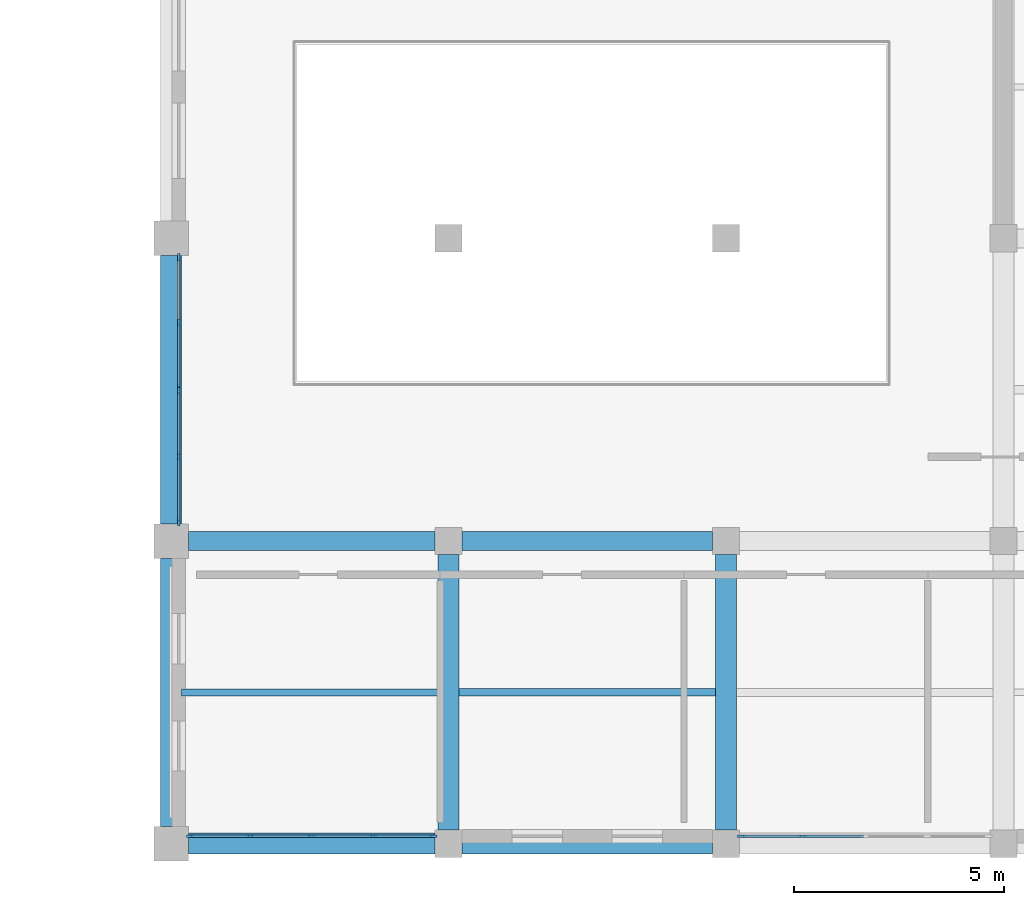
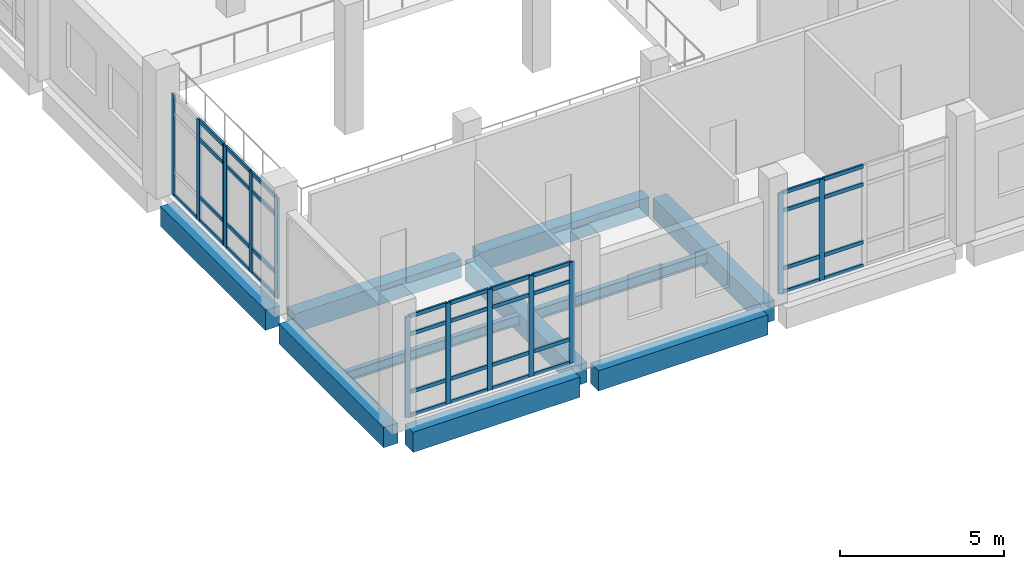
# One storey, part 13 of 90: 50 members, 10 beams, 4 elements without a shape of their own.
"""IFC4 building model written with IfcOpenShell, lengths in metres."""

from ifc_helpers import new_model, si_unit, direction, frame, origin, origin_2d, place, context, subcontext, project, spatial, rectangle, i_section, extrude, material, layer, layer_set, material_profile, profile_set, type_object, element, aggregate, save


model = new_model("IFC4")

# Units and contexts
model_context = context("Model", 3, precision=1e-05, world=origin(), true_north=direction((0.0, 1.0)))
body_context = subcontext(model_context, "Body", "Model", "MODEL_VIEW")
ifc_project = project(units=[si_unit("LENGTHUNIT", "METRE"), si_unit("AREAUNIT", "SQUARE_METRE"), si_unit("VOLUMEUNIT", "CUBIC_METRE"), si_unit("PLANEANGLEUNIT", "RADIAN"), si_unit("MASSUNIT", "GRAM", prefix="KILO")], contexts=[model_context])

# Site, building, storey
site_placement = place(None, origin())
site = spatial("IfcSite", under=ifc_project, at=site_placement, CompositionType="ELEMENT")
building_placement = place(site_placement, origin())
building = spatial("IfcBuilding", under=site, at=building_placement, Name="Kelarvand Opera House", CompositionType="ELEMENT")
storey_placement = place(building_placement, frame((0.0, 0.0, 5.39990234375)))
storey = spatial("IfcBuildingStorey", under=building, at=storey_placement, Name="L01", CompositionType="ELEMENT", Elevation=5.39990234375)

# Curtain wall, members
ifc_material_1 = material(Name="Thermally broken aluminium and low-E glazing", Category="aluminium")
ifc_layer_1 = layer(ifc_material_1, 0.179931640625, Name="Thermally broken aluminium and low-E glazing", Category="aluminium")
ifc_layer_set_1 = layer_set([ifc_layer_1], Name="Thermally broken aluminium and low-E glazing")
curtain_wall_type_1 = type_object("IfcCurtainWallType", Name="Unitised Low-E Curtain Wall 3176x3730 Mod 1350 CWF-10", PredefinedType="USERDEFINED", material=ifc_layer_set_1)
curtain_wall_1_placement = place(storey_placement, origin())
curtain_wall_1 = element("IfcCurtainWall", 1, at=curtain_wall_1_placement, inside=storey, type_object=curtain_wall_type_1, Name="V6 L01 Curtain Wall CWF-10 (209)", ObjectType="UNITISED CURTAIN WALL", PredefinedType="USERDEFINED")
ifc_material_2 = material(Name="Thermally broken anodised aluminium", Category="aluminium")
ifc_material_profile_1 = material_profile(ifc_material_2, rectangle(XDim=0.06494140625, YDim=0.179931640625, at=origin_2d()), Name="ALU MULLION 65x180", Category="aluminium")
ifc_profile_set_1 = profile_set([ifc_material_profile_1], Name="Thermally broken anodised aluminium")
member_type_1 = type_object("IfcMemberType", Name="Curtain Wall Mullion 65x180 Aluminium", PredefinedType="MULLION", material=ifc_profile_set_1)
member_1_placement = place(storey_placement, frame((89.179931640625, 16.652587890625, 0.0), z_axis=(0.0, 0.0, 1.0), x_axis=(-1.0, 0.0, 0.0)))
member_1 = element("IfcMember", 2, at=member_1_placement, type_object=member_type_1, Name="CWF-10 mullion 1", PredefinedType="MULLION", context=body_context, shape_type="SweptSolid", body=[
    extrude(rectangle(XDim=0.06494140625, YDim=0.179931640625, at=origin_2d()), origin(), (0.0, 0.0, 1.0), 3.75),
])
member_2_placement = place(storey_placement, frame((89.179931640625, 18.2080078125, 0.0), z_axis=(0.0, 0.0, 1.0), x_axis=(-1.0, 0.0, 0.0)))
member_2 = element("IfcMember", 3, at=member_2_placement, type_object=member_type_1, Name="CWF-10 mullion 2", PredefinedType="MULLION", context=body_context, shape_type="SweptSolid", body=[
    extrude(rectangle(XDim=0.06494140625, YDim=0.179931640625, at=origin_2d()), origin(), (0.0, 0.0, 1.0), 3.75),
])
member_3_placement = place(storey_placement, frame((89.179931640625, 19.763427734375, 0.0), z_axis=(0.0, 0.0, 1.0), x_axis=(-1.0, 0.0, 0.0)))
member_3 = element("IfcMember", 4, at=member_3_placement, type_object=member_type_1, Name="CWF-10 mullion 3", PredefinedType="MULLION", context=body_context, shape_type="SweptSolid", body=[
    extrude(rectangle(XDim=0.06494140625, YDim=0.179931640625, at=origin_2d()), origin(), (0.0, 0.0, 1.0), 3.75),
])

curtain_wall_2_placement = place(storey_placement, origin())
curtain_wall_2 = element("IfcCurtainWall", 5, at=curtain_wall_2_placement, inside=storey, type_object=curtain_wall_type_1, Name="V6 L01 Curtain Wall CWF-10 (210)", ObjectType="UNITISED CURTAIN WALL", PredefinedType="USERDEFINED")
member_4_placement = place(storey_placement, frame((89.179931640625, 19.83251953125, 0.0), z_axis=(0.0, 0.0, 1.0), x_axis=(-1.0, 0.0, 0.0)))
member_4 = element("IfcMember", 6, at=member_4_placement, type_object=member_type_1, Name="CWF-10 mullion 1", PredefinedType="MULLION", context=body_context, shape_type="SweptSolid", body=[
    extrude(rectangle(XDim=0.06494140625, YDim=0.179931640625, at=origin_2d()), origin(), (0.0, 0.0, 1.0), 3.75),
])
member_5_placement = place(storey_placement, frame((89.179931640625, 21.389892578125, 0.0), z_axis=(0.0, 0.0, 1.0), x_axis=(-1.0, 0.0, 0.0)))
member_5 = element("IfcMember", 7, at=member_5_placement, type_object=member_type_1, Name="CWF-10 mullion 2", PredefinedType="MULLION", context=body_context, shape_type="SweptSolid", body=[
    extrude(rectangle(XDim=0.06494140625, YDim=0.179931640625, at=origin_2d()), origin(), (0.0, 0.0, 1.0), 3.75),
])
member_6_placement = place(storey_placement, frame((89.179931640625, 22.947509765625, 0.0), z_axis=(0.0, 0.0, 1.0), x_axis=(-1.0, 0.0, 0.0)))
member_6 = element("IfcMember", 8, at=member_6_placement, type_object=member_type_1, Name="CWF-10 mullion 3", PredefinedType="MULLION", context=body_context, shape_type="SweptSolid", body=[
    extrude(rectangle(XDim=0.06494140625, YDim=0.179931640625, at=origin_2d()), origin(), (0.0, 0.0, 1.0), 3.75),
])

ifc_layer_2 = layer(ifc_material_1, 0.179931640625, Name="Thermally broken aluminium and low-E glazing", Category="aluminium")
ifc_layer_set_2 = layer_set([ifc_layer_2], Name="Thermally broken aluminium and low-E glazing")
curtain_wall_type_2 = type_object("IfcCurtainWallType", Name="Unitised Low-E Curtain Wall 5930x3750 Mod 1350 CWF-55", PredefinedType="USERDEFINED", material=ifc_layer_set_2)
curtain_wall_3_placement = place(storey_placement, origin())
curtain_wall_3 = element("IfcCurtainWall", 9, at=curtain_wall_3_placement, inside=storey, type_object=curtain_wall_type_2, Name="V6 L01 Curtain Wall CWF-55 (215)", ObjectType="UNITISED CURTAIN WALL", PredefinedType="USERDEFINED")
member_7_placement = place(storey_placement, frame((104.017578125, 9.179931640625, 0.0), z_axis=(0.0, 0.0, 1.0), x_axis=(0.0, -1.0, 0.0)))
member_7 = element("IfcMember", 10, at=member_7_placement, type_object=member_type_1, Name="CWF-55 mullion 4", PredefinedType="MULLION", context=body_context, shape_type="SweptSolid", body=[
    extrude(rectangle(XDim=0.06494140625, YDim=0.179931640625, at=origin_2d()), origin(), (0.0, 0.0, 1.0), 3.75),
])
member_8_placement = place(storey_placement, frame((102.5673828125, 9.179931640625, 0.0), z_axis=(0.0, 0.0, 1.0), x_axis=(0.0, -1.0, 0.0)))
member_8 = element("IfcMember", 11, at=member_8_placement, type_object=member_type_1, Name="CWF-55 mullion 5", PredefinedType="MULLION", context=body_context, shape_type="SweptSolid", body=[
    extrude(rectangle(XDim=0.06494140625, YDim=0.179931640625, at=origin_2d()), origin(), (0.0, 0.0, 1.0), 3.75),
])

ifc_layer_3 = layer(ifc_material_1, 0.179931640625, Name="Thermally broken aluminium and low-E glazing", Category="aluminium")
ifc_layer_set_3 = layer_set([ifc_layer_3], Name="Thermally broken aluminium and low-E glazing")
curtain_wall_type_3 = type_object("IfcCurtainWallType", Name="Unitised Low-E Curtain Wall 5845x3750 Mod 1350 CWF-56", PredefinedType="USERDEFINED", material=ifc_layer_set_3)
curtain_wall_4_placement = place(storey_placement, origin())
curtain_wall_4 = element("IfcCurtainWall", 12, at=curtain_wall_4_placement, inside=storey, type_object=curtain_wall_type_3, Name="V6 L01 Curtain Wall CWF-56 (216)", ObjectType="UNITISED CURTAIN WALL", PredefinedType="USERDEFINED")
member_9_placement = place(storey_placement, frame((95.232421875, 9.179931640625, 0.0), z_axis=(0.0, 0.0, 1.0), x_axis=(0.0, -1.0, 0.0)))
member_9 = element("IfcMember", 13, at=member_9_placement, type_object=member_type_1, Name="CWF-56 mullion 1", PredefinedType="MULLION", context=body_context, shape_type="SweptSolid", body=[
    extrude(rectangle(XDim=0.06494140625, YDim=0.179931640625, at=origin_2d()), origin(), (0.0, 0.0, 1.0), 3.75),
])
member_10_placement = place(storey_placement, frame((93.8037109375, 9.179931640625, 0.0), z_axis=(0.0, 0.0, 1.0), x_axis=(0.0, -1.0, 0.0)))
member_10 = element("IfcMember", 14, at=member_10_placement, type_object=member_type_1, Name="CWF-56 mullion 2", PredefinedType="MULLION", context=body_context, shape_type="SweptSolid", body=[
    extrude(rectangle(XDim=0.06494140625, YDim=0.179931640625, at=origin_2d()), origin(), (0.0, 0.0, 1.0), 3.75),
])
member_11_placement = place(storey_placement, frame((92.342529296875, 9.179931640625, 0.0), z_axis=(0.0, 0.0, 1.0), x_axis=(0.0, -1.0, 0.0)))
member_11 = element("IfcMember", 15, at=member_11_placement, type_object=member_type_1, Name="CWF-56 mullion 3", PredefinedType="MULLION", context=body_context, shape_type="SweptSolid", body=[
    extrude(rectangle(XDim=0.06494140625, YDim=0.179931640625, at=origin_2d()), origin(), (0.0, 0.0, 1.0), 3.75),
])
member_12_placement = place(storey_placement, frame((90.88134765625, 9.179931640625, 0.0), z_axis=(0.0, 0.0, 1.0), x_axis=(0.0, -1.0, 0.0)))
member_12 = element("IfcMember", 16, at=member_12_placement, type_object=member_type_1, Name="CWF-56 mullion 4", PredefinedType="MULLION", context=body_context, shape_type="SweptSolid", body=[
    extrude(rectangle(XDim=0.06494140625, YDim=0.179931640625, at=origin_2d()), origin(), (0.0, 0.0, 1.0), 3.75),
])
member_13_placement = place(storey_placement, frame((89.452392578125, 9.179931640625, 0.0), z_axis=(0.0, 0.0, 1.0), x_axis=(0.0, -1.0, 0.0)))
member_13 = element("IfcMember", 17, at=member_13_placement, type_object=member_type_1, Name="CWF-56 mullion 5", PredefinedType="MULLION", context=body_context, shape_type="SweptSolid", body=[
    extrude(rectangle(XDim=0.06494140625, YDim=0.179931640625, at=origin_2d()), origin(), (0.0, 0.0, 1.0), 3.75),
])

# Member
ifc_material_profile_2 = material_profile(ifc_material_2, rectangle(XDim=0.06494140625, YDim=0.139892578125, at=origin_2d()), Name="ALU TRANSOM 65x140", Category="aluminium")
ifc_profile_set_2 = profile_set([ifc_material_profile_2], Name="Thermally broken anodised aluminium")
member_type_2 = type_object("IfcMemberType", Name="Curtain Wall Transom 65x140 Aluminium", PredefinedType="USERDEFINED", material=ifc_profile_set_2)
member_14_placement = place(storey_placement, frame((89.179931640625, 16.68505859375, 0.03271484375), z_axis=(0.0, 1.0, 0.0), x_axis=(-1.0, 0.0, 0.0)))
member_14 = element("IfcMember", 18, at=member_14_placement, type_object=member_type_2, Name="CWF-10 transom 1.1", ObjectType="TRANSOM", PredefinedType="USERDEFINED", context=body_context, shape_type="SweptSolid", body=[
    extrude(rectangle(XDim=0.06494140625, YDim=0.139892578125, at=origin_2d()), origin(), (0.0, 0.0, 1.0), 1.490478515625),
])

member_15_placement = place(storey_placement, frame((89.179931640625, 16.68505859375, 0.900146484375), z_axis=(0.0, 1.0, 0.0), x_axis=(-1.0, 0.0, 0.0)))
member_15 = element("IfcMember", 19, at=member_15_placement, type_object=member_type_2, Name="CWF-10 transom 1.2", ObjectType="TRANSOM", PredefinedType="USERDEFINED", context=body_context, shape_type="SweptSolid", body=[
    extrude(rectangle(XDim=0.06494140625, YDim=0.139892578125, at=origin_2d()), origin(), (0.0, 0.0, 1.0), 1.490478515625),
])

member_16_placement = place(storey_placement, frame((89.179931640625, 16.68505859375, 3.050048828125), z_axis=(0.0, 1.0, 0.0), x_axis=(-1.0, 0.0, 0.0)))
member_16 = element("IfcMember", 20, at=member_16_placement, type_object=member_type_2, Name="CWF-10 transom 1.3", ObjectType="TRANSOM", PredefinedType="USERDEFINED", context=body_context, shape_type="SweptSolid", body=[
    extrude(rectangle(XDim=0.06494140625, YDim=0.139892578125, at=origin_2d()), origin(), (0.0, 0.0, 1.0), 1.490478515625),
])

member_17_placement = place(storey_placement, frame((89.179931640625, 16.68505859375, 3.717529296875), z_axis=(0.0, 1.0, 0.0), x_axis=(-1.0, 0.0, 0.0)))
member_17 = element("IfcMember", 21, at=member_17_placement, type_object=member_type_2, Name="CWF-10 transom 1.4", ObjectType="TRANSOM", PredefinedType="USERDEFINED", context=body_context, shape_type="SweptSolid", body=[
    extrude(rectangle(XDim=0.06494140625, YDim=0.139892578125, at=origin_2d()), origin(), (0.0, 0.0, 1.0), 1.490478515625),
])

member_18_placement = place(storey_placement, frame((89.179931640625, 18.240478515625, 0.03271484375), z_axis=(0.0, 1.0, 0.0), x_axis=(-1.0, 0.0, 0.0)))
member_18 = element("IfcMember", 22, at=member_18_placement, type_object=member_type_2, Name="CWF-10 transom 2.1", ObjectType="TRANSOM", PredefinedType="USERDEFINED", context=body_context, shape_type="SweptSolid", body=[
    extrude(rectangle(XDim=0.06494140625, YDim=0.139892578125, at=origin_2d()), origin(), (0.0, 0.0, 1.0), 1.490478515625),
])

member_19_placement = place(storey_placement, frame((89.179931640625, 18.240478515625, 0.900146484375), z_axis=(0.0, 1.0, 0.0), x_axis=(-1.0, 0.0, 0.0)))
member_19 = element("IfcMember", 23, at=member_19_placement, type_object=member_type_2, Name="CWF-10 transom 2.2", ObjectType="TRANSOM", PredefinedType="USERDEFINED", context=body_context, shape_type="SweptSolid", body=[
    extrude(rectangle(XDim=0.06494140625, YDim=0.139892578125, at=origin_2d()), origin(), (0.0, 0.0, 1.0), 1.490478515625),
])

member_20_placement = place(storey_placement, frame((89.179931640625, 18.240478515625, 3.050048828125), z_axis=(0.0, 1.0, 0.0), x_axis=(-1.0, 0.0, 0.0)))
member_20 = element("IfcMember", 24, at=member_20_placement, type_object=member_type_2, Name="CWF-10 transom 2.3", ObjectType="TRANSOM", PredefinedType="USERDEFINED", context=body_context, shape_type="SweptSolid", body=[
    extrude(rectangle(XDim=0.06494140625, YDim=0.139892578125, at=origin_2d()), origin(), (0.0, 0.0, 1.0), 1.490478515625),
])

member_21_placement = place(storey_placement, frame((89.179931640625, 18.240478515625, 3.717529296875), z_axis=(0.0, 1.0, 0.0), x_axis=(-1.0, 0.0, 0.0)))
member_21 = element("IfcMember", 25, at=member_21_placement, type_object=member_type_2, Name="CWF-10 transom 2.4", ObjectType="TRANSOM", PredefinedType="USERDEFINED", context=body_context, shape_type="SweptSolid", body=[
    extrude(rectangle(XDim=0.06494140625, YDim=0.139892578125, at=origin_2d()), origin(), (0.0, 0.0, 1.0), 1.490478515625),
])

aggregate(curtain_wall_1, [member_1, member_2, member_3, member_14, member_15, member_16, member_17, member_18, member_19, member_20, member_21])

member_22_placement = place(storey_placement, frame((89.179931640625, 19.864990234375, 0.03271484375), z_axis=(0.0, 1.0, 0.0), x_axis=(-1.0, 0.0, 0.0)))
member_22 = element("IfcMember", 26, at=member_22_placement, type_object=member_type_2, Name="CWF-10 transom 1.1", ObjectType="TRANSOM", PredefinedType="USERDEFINED", context=body_context, shape_type="SweptSolid", body=[
    extrude(rectangle(XDim=0.06494140625, YDim=0.139892578125, at=origin_2d()), origin(), (0.0, 0.0, 1.0), 1.492431640625),
])

member_23_placement = place(storey_placement, frame((89.179931640625, 19.864990234375, 0.900146484375), z_axis=(0.0, 1.0, 0.0), x_axis=(-1.0, 0.0, 0.0)))
member_23 = element("IfcMember", 27, at=member_23_placement, type_object=member_type_2, Name="CWF-10 transom 1.2", ObjectType="TRANSOM", PredefinedType="USERDEFINED", context=body_context, shape_type="SweptSolid", body=[
    extrude(rectangle(XDim=0.06494140625, YDim=0.139892578125, at=origin_2d()), origin(), (0.0, 0.0, 1.0), 1.492431640625),
])

member_24_placement = place(storey_placement, frame((89.179931640625, 19.864990234375, 3.050048828125), z_axis=(0.0, 1.0, 0.0), x_axis=(-1.0, 0.0, 0.0)))
member_24 = element("IfcMember", 28, at=member_24_placement, type_object=member_type_2, Name="CWF-10 transom 1.3", ObjectType="TRANSOM", PredefinedType="USERDEFINED", context=body_context, shape_type="SweptSolid", body=[
    extrude(rectangle(XDim=0.06494140625, YDim=0.139892578125, at=origin_2d()), origin(), (0.0, 0.0, 1.0), 1.492431640625),
])

member_25_placement = place(storey_placement, frame((89.179931640625, 19.864990234375, 3.717529296875), z_axis=(0.0, 1.0, 0.0), x_axis=(-1.0, 0.0, 0.0)))
member_25 = element("IfcMember", 29, at=member_25_placement, type_object=member_type_2, Name="CWF-10 transom 1.4", ObjectType="TRANSOM", PredefinedType="USERDEFINED", context=body_context, shape_type="SweptSolid", body=[
    extrude(rectangle(XDim=0.06494140625, YDim=0.139892578125, at=origin_2d()), origin(), (0.0, 0.0, 1.0), 1.492431640625),
])

member_26_placement = place(storey_placement, frame((89.179931640625, 21.422607421875, 0.03271484375), z_axis=(0.0, 1.0, 0.0), x_axis=(-1.0, 0.0, 0.0)))
member_26 = element("IfcMember", 30, at=member_26_placement, type_object=member_type_2, Name="CWF-10 transom 2.1", ObjectType="TRANSOM", PredefinedType="USERDEFINED", context=body_context, shape_type="SweptSolid", body=[
    extrude(rectangle(XDim=0.06494140625, YDim=0.139892578125, at=origin_2d()), origin(), (0.0, 0.0, 1.0), 1.492431640625),
])

aggregate(curtain_wall_2, [member_4, member_5, member_6, member_22, member_23, member_24, member_25, member_26])

member_27_placement = place(storey_placement, frame((105.467529296875, 9.179931640625, 0.03271484375), z_axis=(-1.0, 0.0, 0.0), x_axis=(0.0, -1.0, 0.0)))
member_27 = element("IfcMember", 31, at=member_27_placement, type_object=member_type_2, Name="CWF-55 transom 3.1", ObjectType="TRANSOM", PredefinedType="USERDEFINED", context=body_context, shape_type="SweptSolid", body=[
    extrude(rectangle(XDim=0.06494140625, YDim=0.139892578125, at=origin_2d()), origin(), (0.0, 0.0, 1.0), 1.41748046875),
])

member_28_placement = place(storey_placement, frame((105.467529296875, 9.179931640625, 0.900146484375), z_axis=(-1.0, 0.0, 0.0), x_axis=(0.0, -1.0, 0.0)))
member_28 = element("IfcMember", 32, at=member_28_placement, type_object=member_type_2, Name="CWF-55 transom 3.2", ObjectType="TRANSOM", PredefinedType="USERDEFINED", context=body_context, shape_type="SweptSolid", body=[
    extrude(rectangle(XDim=0.06494140625, YDim=0.139892578125, at=origin_2d()), origin(), (0.0, 0.0, 1.0), 1.41748046875),
])

member_29_placement = place(storey_placement, frame((105.467529296875, 9.179931640625, 3.050048828125), z_axis=(-1.0, 0.0, 0.0), x_axis=(0.0, -1.0, 0.0)))
member_29 = element("IfcMember", 33, at=member_29_placement, type_object=member_type_2, Name="CWF-55 transom 3.3", ObjectType="TRANSOM", PredefinedType="USERDEFINED", context=body_context, shape_type="SweptSolid", body=[
    extrude(rectangle(XDim=0.06494140625, YDim=0.139892578125, at=origin_2d()), origin(), (0.0, 0.0, 1.0), 1.41748046875),
])

member_30_placement = place(storey_placement, frame((105.467529296875, 9.179931640625, 3.717529296875), z_axis=(-1.0, 0.0, 0.0), x_axis=(0.0, -1.0, 0.0)))
member_30 = element("IfcMember", 34, at=member_30_placement, type_object=member_type_2, Name="CWF-55 transom 3.4", ObjectType="TRANSOM", PredefinedType="USERDEFINED", context=body_context, shape_type="SweptSolid", body=[
    extrude(rectangle(XDim=0.06494140625, YDim=0.139892578125, at=origin_2d()), origin(), (0.0, 0.0, 1.0), 1.41748046875),
])

member_31_placement = place(storey_placement, frame((103.985107421875, 9.179931640625, 0.03271484375), z_axis=(-1.0, 0.0, 0.0), x_axis=(0.0, -1.0, 0.0)))
member_31 = element("IfcMember", 35, at=member_31_placement, type_object=member_type_2, Name="CWF-55 transom 4.1", ObjectType="TRANSOM", PredefinedType="USERDEFINED", context=body_context, shape_type="SweptSolid", body=[
    extrude(rectangle(XDim=0.06494140625, YDim=0.139892578125, at=origin_2d()), origin(), (0.0, 0.0, 1.0), 1.385009765625),
])

member_32_placement = place(storey_placement, frame((103.985107421875, 9.179931640625, 0.900146484375), z_axis=(-1.0, 0.0, 0.0), x_axis=(0.0, -1.0, 0.0)))
member_32 = element("IfcMember", 36, at=member_32_placement, type_object=member_type_2, Name="CWF-55 transom 4.2", ObjectType="TRANSOM", PredefinedType="USERDEFINED", context=body_context, shape_type="SweptSolid", body=[
    extrude(rectangle(XDim=0.06494140625, YDim=0.139892578125, at=origin_2d()), origin(), (0.0, 0.0, 1.0), 1.385009765625),
])

member_33_placement = place(storey_placement, frame((103.985107421875, 9.179931640625, 3.050048828125), z_axis=(-1.0, 0.0, 0.0), x_axis=(0.0, -1.0, 0.0)))
member_33 = element("IfcMember", 37, at=member_33_placement, type_object=member_type_2, Name="CWF-55 transom 4.3", ObjectType="TRANSOM", PredefinedType="USERDEFINED", context=body_context, shape_type="SweptSolid", body=[
    extrude(rectangle(XDim=0.06494140625, YDim=0.139892578125, at=origin_2d()), origin(), (0.0, 0.0, 1.0), 1.385009765625),
])

member_34_placement = place(storey_placement, frame((103.985107421875, 9.179931640625, 3.717529296875), z_axis=(-1.0, 0.0, 0.0), x_axis=(0.0, -1.0, 0.0)))
member_34 = element("IfcMember", 38, at=member_34_placement, type_object=member_type_2, Name="CWF-55 transom 4.4", ObjectType="TRANSOM", PredefinedType="USERDEFINED", context=body_context, shape_type="SweptSolid", body=[
    extrude(rectangle(XDim=0.06494140625, YDim=0.139892578125, at=origin_2d()), origin(), (0.0, 0.0, 1.0), 1.385009765625),
])

aggregate(curtain_wall_3, [member_7, member_8, member_27, member_28, member_29, member_30, member_31, member_32, member_33, member_34])

member_35_placement = place(storey_placement, frame((95.199951171875, 9.179931640625, 0.03271484375), z_axis=(-1.0, 0.0, 0.0), x_axis=(0.0, -1.0, 0.0)))
member_35 = element("IfcMember", 39, at=member_35_placement, type_object=member_type_2, Name="CWF-56 transom 1.1", ObjectType="TRANSOM", PredefinedType="USERDEFINED", context=body_context, shape_type="SweptSolid", body=[
    extrude(rectangle(XDim=0.06494140625, YDim=0.139892578125, at=origin_2d()), origin(), (0.0, 0.0, 1.0), 1.36376953125),
])

member_36_placement = place(storey_placement, frame((95.199951171875, 9.179931640625, 0.900146484375), z_axis=(-1.0, 0.0, 0.0), x_axis=(0.0, -1.0, 0.0)))
member_36 = element("IfcMember", 40, at=member_36_placement, type_object=member_type_2, Name="CWF-56 transom 1.2", ObjectType="TRANSOM", PredefinedType="USERDEFINED", context=body_context, shape_type="SweptSolid", body=[
    extrude(rectangle(XDim=0.06494140625, YDim=0.139892578125, at=origin_2d()), origin(), (0.0, 0.0, 1.0), 1.36376953125),
])

member_37_placement = place(storey_placement, frame((95.199951171875, 9.179931640625, 3.050048828125), z_axis=(-1.0, 0.0, 0.0), x_axis=(0.0, -1.0, 0.0)))
member_37 = element("IfcMember", 41, at=member_37_placement, type_object=member_type_2, Name="CWF-56 transom 1.3", ObjectType="TRANSOM", PredefinedType="USERDEFINED", context=body_context, shape_type="SweptSolid", body=[
    extrude(rectangle(XDim=0.06494140625, YDim=0.139892578125, at=origin_2d()), origin(), (0.0, 0.0, 1.0), 1.36376953125),
])

member_38_placement = place(storey_placement, frame((95.199951171875, 9.179931640625, 3.717529296875), z_axis=(-1.0, 0.0, 0.0), x_axis=(0.0, -1.0, 0.0)))
member_38 = element("IfcMember", 42, at=member_38_placement, type_object=member_type_2, Name="CWF-56 transom 1.4", ObjectType="TRANSOM", PredefinedType="USERDEFINED", context=body_context, shape_type="SweptSolid", body=[
    extrude(rectangle(XDim=0.06494140625, YDim=0.139892578125, at=origin_2d()), origin(), (0.0, 0.0, 1.0), 1.36376953125),
])

member_39_placement = place(storey_placement, frame((93.771240234375, 9.179931640625, 0.03271484375), z_axis=(-1.0, 0.0, 0.0), x_axis=(0.0, -1.0, 0.0)))
member_39 = element("IfcMember", 43, at=member_39_placement, type_object=member_type_2, Name="CWF-56 transom 2.1", ObjectType="TRANSOM", PredefinedType="USERDEFINED", context=body_context, shape_type="SweptSolid", body=[
    extrude(rectangle(XDim=0.06494140625, YDim=0.139892578125, at=origin_2d()), origin(), (0.0, 0.0, 1.0), 1.396240234375),
])

member_40_placement = place(storey_placement, frame((93.771240234375, 9.179931640625, 0.900146484375), z_axis=(-1.0, 0.0, 0.0), x_axis=(0.0, -1.0, 0.0)))
member_40 = element("IfcMember", 44, at=member_40_placement, type_object=member_type_2, Name="CWF-56 transom 2.2", ObjectType="TRANSOM", PredefinedType="USERDEFINED", context=body_context, shape_type="SweptSolid", body=[
    extrude(rectangle(XDim=0.06494140625, YDim=0.139892578125, at=origin_2d()), origin(), (0.0, 0.0, 1.0), 1.396240234375),
])

member_41_placement = place(storey_placement, frame((93.771240234375, 9.179931640625, 3.050048828125), z_axis=(-1.0, 0.0, 0.0), x_axis=(0.0, -1.0, 0.0)))
member_41 = element("IfcMember", 45, at=member_41_placement, type_object=member_type_2, Name="CWF-56 transom 2.3", ObjectType="TRANSOM", PredefinedType="USERDEFINED", context=body_context, shape_type="SweptSolid", body=[
    extrude(rectangle(XDim=0.06494140625, YDim=0.139892578125, at=origin_2d()), origin(), (0.0, 0.0, 1.0), 1.396240234375),
])

member_42_placement = place(storey_placement, frame((93.771240234375, 9.179931640625, 3.717529296875), z_axis=(-1.0, 0.0, 0.0), x_axis=(0.0, -1.0, 0.0)))
member_42 = element("IfcMember", 46, at=member_42_placement, type_object=member_type_2, Name="CWF-56 transom 2.4", ObjectType="TRANSOM", PredefinedType="USERDEFINED", context=body_context, shape_type="SweptSolid", body=[
    extrude(rectangle(XDim=0.06494140625, YDim=0.139892578125, at=origin_2d()), origin(), (0.0, 0.0, 1.0), 1.396240234375),
])

member_43_placement = place(storey_placement, frame((92.31005859375, 9.179931640625, 0.03271484375), z_axis=(-1.0, 0.0, 0.0), x_axis=(0.0, -1.0, 0.0)))
member_43 = element("IfcMember", 47, at=member_43_placement, type_object=member_type_2, Name="CWF-56 transom 3.1", ObjectType="TRANSOM", PredefinedType="USERDEFINED", context=body_context, shape_type="SweptSolid", body=[
    extrude(rectangle(XDim=0.06494140625, YDim=0.139892578125, at=origin_2d()), origin(), (0.0, 0.0, 1.0), 1.396240234375),
])

member_44_placement = place(storey_placement, frame((92.31005859375, 9.179931640625, 0.900146484375), z_axis=(-1.0, 0.0, 0.0), x_axis=(0.0, -1.0, 0.0)))
member_44 = element("IfcMember", 48, at=member_44_placement, type_object=member_type_2, Name="CWF-56 transom 3.2", ObjectType="TRANSOM", PredefinedType="USERDEFINED", context=body_context, shape_type="SweptSolid", body=[
    extrude(rectangle(XDim=0.06494140625, YDim=0.139892578125, at=origin_2d()), origin(), (0.0, 0.0, 1.0), 1.396240234375),
])

member_45_placement = place(storey_placement, frame((92.31005859375, 9.179931640625, 3.050048828125), z_axis=(-1.0, 0.0, 0.0), x_axis=(0.0, -1.0, 0.0)))
member_45 = element("IfcMember", 49, at=member_45_placement, type_object=member_type_2, Name="CWF-56 transom 3.3", ObjectType="TRANSOM", PredefinedType="USERDEFINED", context=body_context, shape_type="SweptSolid", body=[
    extrude(rectangle(XDim=0.06494140625, YDim=0.139892578125, at=origin_2d()), origin(), (0.0, 0.0, 1.0), 1.396240234375),
])

member_46_placement = place(storey_placement, frame((92.31005859375, 9.179931640625, 3.717529296875), z_axis=(-1.0, 0.0, 0.0), x_axis=(0.0, -1.0, 0.0)))
member_46 = element("IfcMember", 50, at=member_46_placement, type_object=member_type_2, Name="CWF-56 transom 3.4", ObjectType="TRANSOM", PredefinedType="USERDEFINED", context=body_context, shape_type="SweptSolid", body=[
    extrude(rectangle(XDim=0.06494140625, YDim=0.139892578125, at=origin_2d()), origin(), (0.0, 0.0, 1.0), 1.396240234375),
])

member_47_placement = place(storey_placement, frame((90.8486328125, 9.179931640625, 0.03271484375), z_axis=(-1.0, 0.0, 0.0), x_axis=(0.0, -1.0, 0.0)))
member_47 = element("IfcMember", 51, at=member_47_placement, type_object=member_type_2, Name="CWF-56 transom 4.1", ObjectType="TRANSOM", PredefinedType="USERDEFINED", context=body_context, shape_type="SweptSolid", body=[
    extrude(rectangle(XDim=0.06494140625, YDim=0.139892578125, at=origin_2d()), origin(), (0.0, 0.0, 1.0), 1.363525390625),
])

member_48_placement = place(storey_placement, frame((90.8486328125, 9.179931640625, 0.900146484375), z_axis=(-1.0, 0.0, 0.0), x_axis=(0.0, -1.0, 0.0)))
member_48 = element("IfcMember", 52, at=member_48_placement, type_object=member_type_2, Name="CWF-56 transom 4.2", ObjectType="TRANSOM", PredefinedType="USERDEFINED", context=body_context, shape_type="SweptSolid", body=[
    extrude(rectangle(XDim=0.06494140625, YDim=0.139892578125, at=origin_2d()), origin(), (0.0, 0.0, 1.0), 1.363525390625),
])

member_49_placement = place(storey_placement, frame((90.8486328125, 9.179931640625, 3.050048828125), z_axis=(-1.0, 0.0, 0.0), x_axis=(0.0, -1.0, 0.0)))
member_49 = element("IfcMember", 53, at=member_49_placement, type_object=member_type_2, Name="CWF-56 transom 4.3", ObjectType="TRANSOM", PredefinedType="USERDEFINED", context=body_context, shape_type="SweptSolid", body=[
    extrude(rectangle(XDim=0.06494140625, YDim=0.139892578125, at=origin_2d()), origin(), (0.0, 0.0, 1.0), 1.363525390625),
])

member_50_placement = place(storey_placement, frame((90.8486328125, 9.179931640625, 3.717529296875), z_axis=(-1.0, 0.0, 0.0), x_axis=(0.0, -1.0, 0.0)))
member_50 = element("IfcMember", 54, at=member_50_placement, type_object=member_type_2, Name="CWF-56 transom 4.4", ObjectType="TRANSOM", PredefinedType="USERDEFINED", context=body_context, shape_type="SweptSolid", body=[
    extrude(rectangle(XDim=0.06494140625, YDim=0.139892578125, at=origin_2d()), origin(), (0.0, 0.0, 1.0), 1.363525390625),
])

aggregate(curtain_wall_4, [member_9, member_10, member_11, member_12, member_13, member_35, member_36, member_37, member_38, member_39, member_40, member_41, member_42, member_43, member_44, member_45, member_46, member_47, member_48, member_49, member_50])

# Beams
ifc_material_3 = material(Name="Concrete C40/50", Category="concrete")
ifc_material_profile_3 = material_profile(ifc_material_3, rectangle(XDim=0.449951171875, YDim=0.699951171875, at=origin_2d()), Name="RC 450x700", Category="concrete")
ifc_profile_set_3 = profile_set([ifc_material_profile_3], Name="Concrete C40/50")
beam_type_1 = type_object("IfcBeamType", Name="Structural Beam RC 450x700 BM-RC450x700", PredefinedType="BEAM", material=ifc_profile_set_3)
beam_1_placement = place(storey_placement, frame((89.409912109375, 16.199951171875, -0.64990234375), z_axis=(1.0, 0.0, 0.0), x_axis=(0.0, 1.0, 0.0)))
element("IfcBeam", 55, at=beam_1_placement, inside=storey, type_object=beam_type_1, Name="V6 L01 Beam BM-RC450x700", PredefinedType="BEAM", context=body_context, shape_type="SweptSolid", body=[
    extrude(rectangle(XDim=0.449951171875, YDim=0.699951171875, at=origin_2d()), origin(), (0.0, 0.0, 1.0), 5.864990234375),
])
beam_2_placement = place(storey_placement, frame((95.925048828125, 16.199951171875, -0.64990234375), z_axis=(1.0, 0.0, 0.0), x_axis=(0.0, 1.0, 0.0)))
element("IfcBeam", 56, at=beam_2_placement, inside=storey, type_object=beam_type_1, Name="V6 L01 Beam BM-RC450x700", PredefinedType="BEAM", context=body_context, shape_type="SweptSolid", body=[
    extrude(rectangle(XDim=0.449951171875, YDim=0.699951171875, at=origin_2d()), origin(), (0.0, 0.0, 1.0), 5.949951171875),
])
ifc_material_profile_4 = material_profile(ifc_material_3, rectangle(XDim=0.5, YDim=0.75, at=origin_2d()), Name="RC 500x750", Category="concrete")
ifc_profile_set_4 = profile_set([ifc_material_profile_4], Name="Concrete C40/50")
beam_type_2 = type_object("IfcBeamType", Name="Structural Beam RC 500x750 BM-RC500x750", PredefinedType="BEAM", material=ifc_profile_set_4)
for number, where, z_axis, x_axis, name in (
    (57, (95.60009765625, 9.324951171875, -0.6748046875), (0.0, 1.0, 0.0), (-1.0, 0.0, 0.0), "V6 L01 Beam BM-RC500x750"),
    (58, (102.199951171875, 9.324951171875, -0.6748046875), (0.0, 1.0, 0.0), (-1.0, 0.0, 0.0), "V6 L01 Beam BM-RC500x750"),
):
    element("IfcBeam", number, at=place(storey_placement, frame(where, z_axis=z_axis, x_axis=x_axis)), inside=storey, type_object=beam_type_2, Name=name, PredefinedType="BEAM", context=body_context, shape_type="SweptSolid", body=[
        extrude(rectangle(XDim=0.5, YDim=0.75, at=origin_2d()), origin(), (0.0, 0.0, 1.0), 6.550048828125),
    ])
ifc_material_4 = material(Name="Steel S355", Category="steel")
ifc_material_profile_5 = material_profile(ifc_material_4, i_section(OverallWidth=0.169921875, OverallDepth=0.360107421875, WebThickness=0.008056640625, FlangeThickness=0.0126953125, at=origin_2d()), Name="IPE 360", Category="steel")
ifc_profile_set_5 = profile_set([ifc_material_profile_5], Name="Steel S355")
beam_type_3 = type_object("IfcBeamType", Name="Structural Joist IPE 360 JS-IPE360", PredefinedType="JOIST", material=ifc_profile_set_5)
beam_3_placement = place(storey_placement, frame((89.25, 12.60009765625, -0.47998046875), z_axis=(1.0, 0.0, 0.0), x_axis=(0.0, 1.0, 0.0)))
element("IfcBeam", 59, at=beam_3_placement, inside=storey, type_object=beam_type_3, Name="V6 L01 Beam JS-IPE360", PredefinedType="JOIST", context=body_context, shape_type="SweptSolid", body=[
    extrude(i_section(OverallWidth=0.169921875, OverallDepth=0.360107421875, WebThickness=0.008056640625, FlangeThickness=0.0126953125, at=origin_2d()), origin(), (0.0, 0.0, 1.0), 6.10009765625),
])
ifc_material_profile_6 = material_profile(ifc_material_4, i_section(OverallWidth=0.179931640625, OverallDepth=0.39990234375, WebThickness=0.008544921875, FlangeThickness=0.013427734375, at=origin_2d()), Name="IPE 400", Category="steel")
ifc_profile_set_6 = profile_set([ifc_material_profile_6], Name="Steel S355")
beam_type_4 = type_object("IfcBeamType", Name="Structural Joist IPE 400 JS-IPE400", PredefinedType="JOIST", material=ifc_profile_set_6)
beam_4_placement = place(storey_placement, frame((95.85009765625, 12.60009765625, -0.5), z_axis=(1.0, 0.0, 0.0), x_axis=(0.0, 1.0, 0.0)))
element("IfcBeam", 60, at=beam_4_placement, inside=storey, type_object=beam_type_4, Name="V6 L01 Beam JS-IPE400", PredefinedType="JOIST", context=body_context, shape_type="SweptSolid", body=[
    extrude(i_section(OverallWidth=0.179931640625, OverallDepth=0.39990234375, WebThickness=0.008544921875, FlangeThickness=0.013427734375, at=origin_2d()), origin(), (0.0, 0.0, 1.0), 6.099853515625),
])
ifc_material_profile_7 = material_profile(ifc_material_3, rectangle(XDim=0.5, YDim=0.75, at=origin_2d()), Name="RC 500x750", Category="concrete")
ifc_profile_set_7 = profile_set([ifc_material_profile_7], Name="Concrete C40/50")
beam_type_5 = type_object("IfcBeamType", Name="Structural Spandrel RC 500x750 SP-RC500x750E", PredefinedType="SPANDREL", material=ifc_profile_set_7)
beam_5_placement = place(storey_placement, frame((89.409912109375, 9.0, -0.6748046875), z_axis=(1.0, 0.0, 0.0), x_axis=(0.0, 1.0, 0.0)))
element("IfcBeam", 61, at=beam_5_placement, inside=storey, type_object=beam_type_5, Name="V6 L01 Beam SP-RC500x750E", PredefinedType="SPANDREL", context=body_context, shape_type="SweptSolid", body=[
    extrude(rectangle(XDim=0.5, YDim=0.75, at=origin_2d()), origin(), (0.0, 0.0, 1.0), 5.864990234375),
])
beam_6_placement = place(storey_placement, frame((95.925048828125, 9.0, -0.6748046875), z_axis=(1.0, 0.0, 0.0), x_axis=(0.0, 1.0, 0.0)))
element("IfcBeam", 62, at=beam_6_placement, inside=storey, type_object=beam_type_5, Name="V6 L01 Beam SP-RC500x750E", PredefinedType="SPANDREL", context=body_context, shape_type="SweptSolid", body=[
    extrude(rectangle(XDim=0.5, YDim=0.75, at=origin_2d()), origin(), (0.0, 0.0, 1.0), 5.949951171875),
])
beam_7_placement = place(storey_placement, frame((89.0, 9.409912109375, -0.6748046875), z_axis=(0.0, 1.0, 0.0), x_axis=(-1.0, 0.0, 0.0)))
element("IfcBeam", 63, at=beam_7_placement, inside=storey, type_object=beam_type_5, Name="V6 L01 Beam SP-RC500x750E", PredefinedType="SPANDREL", context=body_context, shape_type="SweptSolid", body=[
    extrude(rectangle(XDim=0.5, YDim=0.75, at=origin_2d()), origin(), (0.0, 0.0, 1.0), 6.380126953125),
])
beam_8_placement = place(storey_placement, frame((89.0, 16.610107421875, -0.6748046875), z_axis=(0.0, 1.0, 0.0), x_axis=(-1.0, 0.0, 0.0)))
element("IfcBeam", 64, at=beam_8_placement, inside=storey, type_object=beam_type_5, Name="V6 L01 Beam SP-RC500x750E", PredefinedType="SPANDREL", context=body_context, shape_type="SweptSolid", body=[
    extrude(rectangle(XDim=0.5, YDim=0.75, at=origin_2d()), origin(), (0.0, 0.0, 1.0), 6.3798828125),
])

save(model, "model.ifc")
